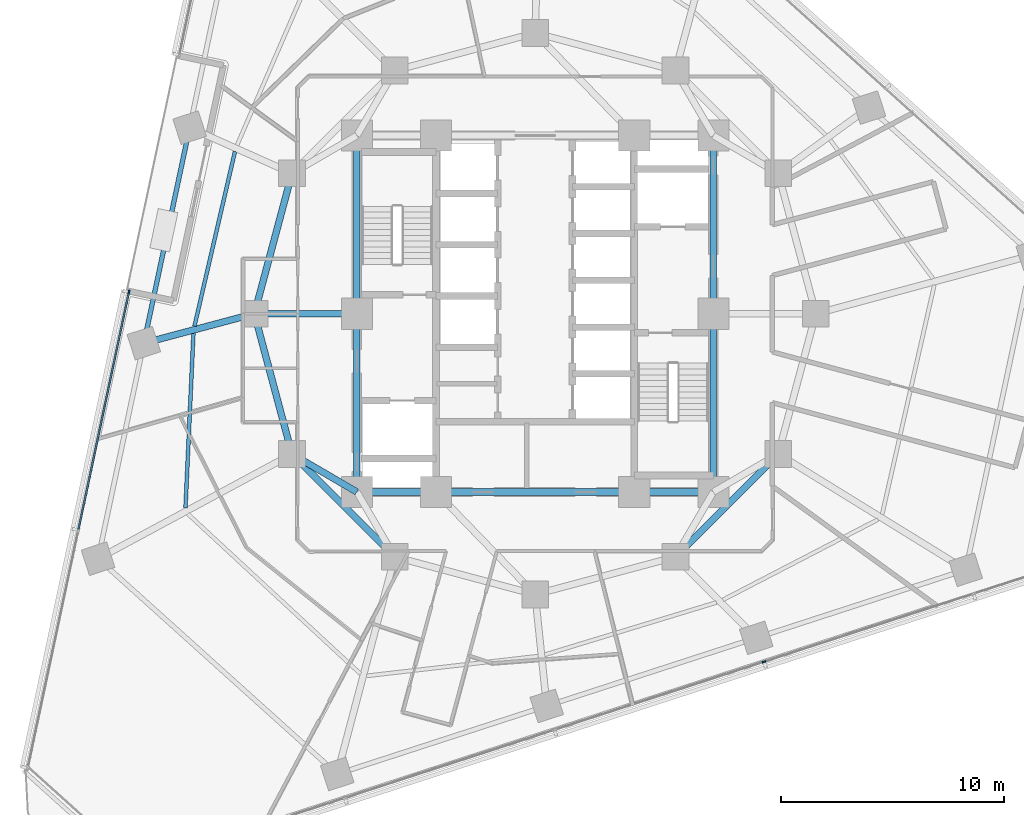
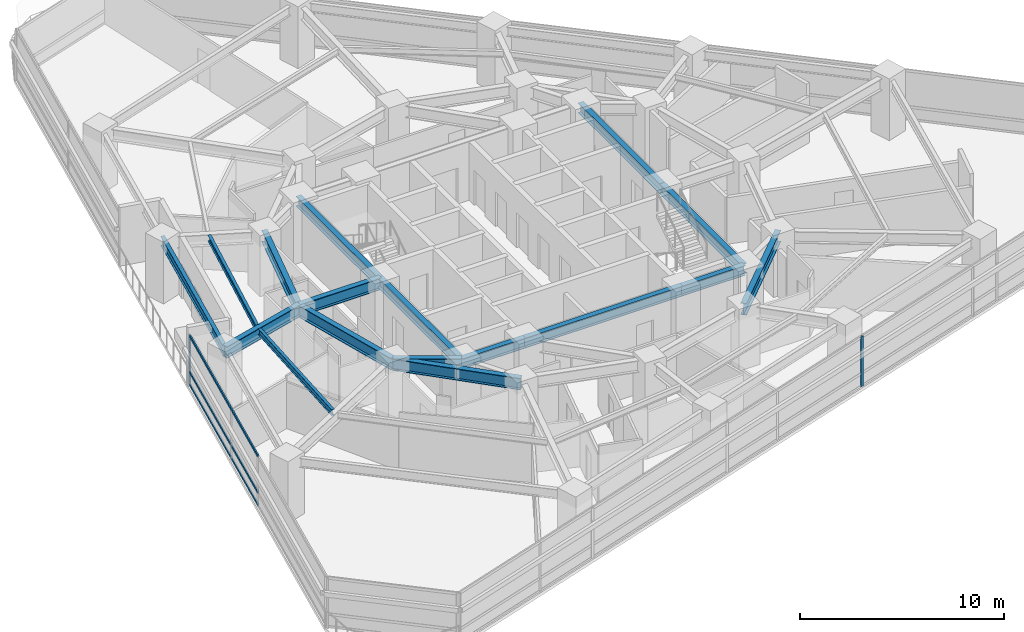
# One storey, part 3 of 14: 17 beams, 5 members, 2 elements without a shape of their own.
"""IFC4 building model written with IfcOpenShell, lengths in metres."""

from ifc_helpers import new_model, si_unit, direction, frame, origin, origin_2d, place, context, subcontext, project, spatial, rectangle, i_section, extrude, material, layer, layer_set, material_profile, profile_set, type_object, element, aggregate, save


model = new_model("IFC4")

# Units and contexts
model_context = context("Model", 3, precision=1e-05, world=origin(), true_north=direction((0.0, 1.0)))
body_context = subcontext(model_context, "Body", "Model", "MODEL_VIEW")
ifc_project = project(units=[si_unit("LENGTHUNIT", "METRE"), si_unit("AREAUNIT", "SQUARE_METRE"), si_unit("VOLUMEUNIT", "CUBIC_METRE"), si_unit("PLANEANGLEUNIT", "RADIAN"), si_unit("MASSUNIT", "GRAM", prefix="KILO")], contexts=[model_context])

# Site, building, storey
site_placement = place(None, origin())
site = spatial("IfcSite", under=ifc_project, at=site_placement, CompositionType="ELEMENT")
building_placement = place(site_placement, origin())
building = spatial("IfcBuilding", under=site, at=building_placement, Name="Terralouvre Media Tower", CompositionType="ELEMENT")
storey_placement = place(building_placement, frame((0.0, 0.0, 97.699951171875)))
storey = spatial("IfcBuildingStorey", under=building, at=storey_placement, Name="L24", CompositionType="ELEMENT", Elevation=97.699951171875)

# Beams
ifc_material_1 = material(Name="Structural steel S355J2", Category="steel")
ifc_material_profile_1 = material_profile(ifc_material_1, i_section(OverallWidth=0.169921875, OverallDepth=0.360107421875, WebThickness=0.008056640625, FlangeThickness=0.0126953125, at=origin_2d()), Name="IPE 360")
ifc_profile_set_1 = profile_set([ifc_material_profile_1], Name="Structural steel S355J2")
beam_type_1 = type_object("IfcBeamType", Name="Composite Floor Joist J-IPE360 (IPE 360)", PredefinedType="JOIST", material=ifc_profile_set_1)
beam_1_placement = place(storey_placement, frame((-15.33544921875, -0.882080078125, 3.320068359375), z_axis=(-0.045464200768, -0.998965968614, 0.0), x_axis=(0.998965968614, -0.045464200768, 0.0)))
element("IfcBeam", 1, at=beam_1_placement, inside=storey, type_object=beam_type_1, Name="L24 Framing Beam JT-L24-01", PredefinedType="JOIST", context=body_context, shape_type="SweptSolid", body=[
    extrude(i_section(OverallWidth=0.169921875, OverallDepth=0.360107421875, WebThickness=0.008056640625, FlangeThickness=0.0126953125, at=origin_2d()), origin(), (0.0, 0.0, 1.0), 7.834716796875),
])
beam_2_placement = place(storey_placement, frame((-13.47216796875, 7.28076171875, 3.320068359375), z_axis=(-0.225820426646, -0.974168945774, 0.0), x_axis=(0.974168945774, -0.225820426646, 0.0)))
element("IfcBeam", 2, at=beam_2_placement, inside=storey, type_object=beam_type_1, Name="L24 Framing Beam JT-L24-12", PredefinedType="JOIST", context=body_context, shape_type="SweptSolid", body=[
    extrude(i_section(OverallWidth=0.169921875, OverallDepth=0.360107421875, WebThickness=0.008056640625, FlangeThickness=0.0126953125, at=origin_2d()), origin(), (0.0, 0.0, 1.0), 8.05224609375),
])

# Curtain wall, members
ifc_material_2 = material(Name="Low-iron laminated double glazing with solar-control coating", Category="glass")
ifc_layer = layer(ifc_material_2, 0.1650390625, Name="Lower Media Tower Unitised Curtain Wall CW-02")
ifc_layer_set = layer_set([ifc_layer], Name="Low-iron laminated double glazing with solar-control coating")
curtain_wall_type = type_object("IfcCurtainWallType", Name="Lower Media Tower Unitised Curtain Wall CW-02", PredefinedType="NOTDEFINED", material=ifc_layer_set)
curtain_wall_1_placement = place(storey_placement, origin())
curtain_wall_1 = element("IfcCurtainWall", 3, at=curtain_wall_1_placement, inside=storey, type_object=curtain_wall_type, Name="L24 Right Flank Curtain Wall F2", PredefinedType="NOTDEFINED")
ifc_material_3 = material(Name="Anodised extruded aluminium 6063-T6", Category="aluminium")
ifc_material_profile_2 = material_profile(ifc_material_3, rectangle(XDim=0.074951171875, YDim=0.14990234375, at=origin_2d()), Name="ALU 75x150")
ifc_profile_set_2 = profile_set([ifc_material_profile_2], Name="Anodised extruded aluminium 6063-T6")
member_type_1 = type_object("IfcMemberType", Name="Curtain-Wall Horizontal Transom TR-150", PredefinedType="USERDEFINED", material=ifc_profile_set_2)
member_1_placement = place(storey_placement, frame((-18.23583984375, 0.93701171875, 0.03759765625), z_axis=(-0.207913397843, -0.978147237893, 0.0), x_axis=(0.978147237893, -0.207913397843, 0.0)))
member_1 = element("IfcMember", 4, at=member_1_placement, type_object=member_type_1, Name="CW-02 transom 1.1", ObjectType="TRANSOM", PredefinedType="USERDEFINED", context=body_context, shape_type="SweptSolid", body=[
    extrude(rectangle(XDim=0.074951171875, YDim=0.14990234375, at=origin_2d()), origin(), (0.0, 0.0, 1.0), 10.84765625),
])
member_2_placement = place(storey_placement, frame((-18.23583984375, 0.93701171875, 0.800048828125), z_axis=(-0.207913397843, -0.978147237893, 0.0), x_axis=(0.978147237893, -0.207913397843, 0.0)))
member_2 = element("IfcMember", 5, at=member_2_placement, type_object=member_type_1, Name="CW-02 transom 1.2", ObjectType="TRANSOM", PredefinedType="USERDEFINED", context=body_context, shape_type="SweptSolid", body=[
    extrude(rectangle(XDim=0.074951171875, YDim=0.14990234375, at=origin_2d()), origin(), (0.0, 0.0, 1.0), 10.84765625),
])
member_3_placement = place(storey_placement, frame((-18.23583984375, 0.93701171875, 2.962646484375), z_axis=(-0.207913397843, -0.978147237893, 0.0), x_axis=(0.978147237893, -0.207913397843, 0.0)))
member_3 = element("IfcMember", 6, at=member_3_placement, type_object=member_type_1, Name="CW-02 transom 1.3", ObjectType="TRANSOM", PredefinedType="USERDEFINED", context=body_context, shape_type="SweptSolid", body=[
    extrude(rectangle(XDim=0.074951171875, YDim=0.14990234375, at=origin_2d()), origin(), (0.0, 0.0, 1.0), 10.84765625),
])

# Curtain wall, member
curtain_wall_2_placement = place(storey_placement, origin())
curtain_wall_2 = element("IfcCurtainWall", 7, at=curtain_wall_2_placement, inside=storey, type_object=curtain_wall_type, Name="L24 Facade Curtain Wall F0", PredefinedType="NOTDEFINED")
ifc_material_4 = material(Name="Anodised extruded aluminium 6063-T6", Category="aluminium")
ifc_material_profile_3 = material_profile(ifc_material_4, rectangle(XDim=0.074951171875, YDim=0.179931640625, at=origin_2d()), Name="ALU 75x180")
ifc_profile_set_3 = profile_set([ifc_material_profile_3], Name="Anodised extruded aluminium 6063-T6")
member_type_2 = type_object("IfcMemberType", Name="Curtain-Wall Vertical Mullion ML-180", PredefinedType="MULLION", material=ifc_profile_set_3)
member_4_placement = place(storey_placement, frame((10.274169921875, -15.621826171875, 0.0), z_axis=(0.0, 0.0, 1.0), x_axis=(-0.309017015439, 0.951056509451, 0.0)))
member_4 = element("IfcMember", 8, at=member_4_placement, type_object=member_type_2, Name="CW-02 mullion 4", PredefinedType="MULLION", context=body_context, shape_type="SweptSolid", body=[
    extrude(rectangle(XDim=0.074951171875, YDim=0.179931640625, at=origin_2d()), origin(), (0.0, 0.0, 1.0), 3.0),
])
aggregate(curtain_wall_2, [member_4])

# Member
member_5_placement = place(storey_placement, frame((-18.22802734375, 0.9736328125, 0.0), z_axis=(0.0, 0.0, 1.0), x_axis=(0.978147702676, -0.207911211217, 0.0)))
member_5 = element("IfcMember", 9, at=member_5_placement, type_object=member_type_2, Name="CW-02 mullion 1", PredefinedType="MULLION", context=body_context, shape_type="SweptSolid", body=[
    extrude(rectangle(XDim=0.074951171875, YDim=0.179931640625, at=origin_2d()), origin(), (0.0, 0.0, 1.0), 3.0),
])

aggregate(curtain_wall_1, [member_5, member_1, member_2, member_3])

# Beams
ifc_material_5 = material(Name="Structural steel S355J2", Category="steel")
ifc_material_profile_4 = material_profile(ifc_material_5, i_section(OverallWidth=0.2099609375, OverallDepth=0.550048828125, WebThickness=0.010986328125, FlangeThickness=0.01708984375, at=origin_2d()), Name="IPE 550")
ifc_profile_set_4 = profile_set([ifc_material_profile_4], Name="Structural steel S355J2")
beam_type_2 = type_object("IfcBeamType", Name="Perimeter Spandrel Beam SPB-550 (IPE 550)", PredefinedType="SPANDREL", material=ifc_profile_set_4)
beam_3_placement = place(storey_placement, frame((-15.5048828125, 8.35009765625, 3.22509765625), z_axis=(-0.207920177572, -0.97814579678, 0.0), x_axis=(0.97814579678, -0.207920177572, 0.0)))
element("IfcBeam", 10, at=beam_3_placement, inside=storey, type_object=beam_type_2, Name="L24 Framing Beam BM-L24-PR12", PredefinedType="SPANDREL", context=body_context, shape_type="SweptSolid", body=[
    extrude(i_section(OverallWidth=0.2099609375, OverallDepth=0.550048828125, WebThickness=0.010986328125, FlangeThickness=0.01708984375, at=origin_2d()), origin(), (0.0, 0.0, 1.0), 9.887939453125),
])
ifc_material_6 = material(Name="Structural steel S460M", Category="steel")
ifc_material_profile_5 = material_profile(ifc_material_6, i_section(OverallWidth=0.300048828125, OverallDepth=0.60009765625, WebThickness=0.015380859375, FlangeThickness=0.030029296875, at=origin_2d()), Name="HEB 600")
ifc_profile_set_5 = profile_set([ifc_material_profile_5], Name="Structural steel S460M")
beam_type_3 = type_object("IfcBeamType", Name="Primary Floor Girder B-HEB600 (HEB 600)", PredefinedType="BEAM", material=ifc_profile_set_5)
beam_4_placement = place(storey_placement, frame((-8.0, -8.0, 3.199951171875), z_axis=(1.0, 0.0, 0.0), x_axis=(0.0, 1.0, 0.0)))
element("IfcBeam", 11, at=beam_4_placement, inside=storey, type_object=beam_type_3, Name="L24 Framing Beam BM-L24-CPR01", PredefinedType="BEAM", context=body_context, shape_type="SweptSolid", body=[
    extrude(i_section(OverallWidth=0.300048828125, OverallDepth=0.60009765625, WebThickness=0.015380859375, FlangeThickness=0.030029296875, at=origin_2d()), origin(), (0.0, 0.0, 1.0), 3.550048828125),
])
beam_5_placement = place(storey_placement, frame((-4.449951171875, -8.0, 3.199951171875), z_axis=(1.0, 0.0, 0.0), x_axis=(0.0, 1.0, 0.0)))
element("IfcBeam", 12, at=beam_5_placement, inside=storey, type_object=beam_type_3, Name="L24 Framing Beam BM-L24-CPR02", PredefinedType="BEAM", context=body_context, shape_type="SweptSolid", body=[
    extrude(i_section(OverallWidth=0.300048828125, OverallDepth=0.60009765625, WebThickness=0.015380859375, FlangeThickness=0.030029296875, at=origin_2d()), origin(), (0.0, 0.0, 1.0), 8.89990234375),
])
beam_6_placement = place(storey_placement, frame((4.449951171875, -8.0, 3.199951171875), z_axis=(1.0, 0.0, 0.0), x_axis=(0.0, 1.0, 0.0)))
element("IfcBeam", 13, at=beam_6_placement, inside=storey, type_object=beam_type_3, Name="L24 Framing Beam BM-L24-CPR03", PredefinedType="BEAM", context=body_context, shape_type="SweptSolid", body=[
    extrude(i_section(OverallWidth=0.300048828125, OverallDepth=0.60009765625, WebThickness=0.015380859375, FlangeThickness=0.030029296875, at=origin_2d()), origin(), (0.0, 0.0, 1.0), 3.550048828125),
])
for number, where, z_axis, x_axis, name in (
    (14, (8.0, -8.0, 3.199951171875), (0.0, 1.0, 0.0), (-1.0, 0.0, 0.0), "L24 Framing Beam BM-L24-CPR04"),
    (15, (8.0, 0.0, 3.199951171875), (0.0, 1.0, 0.0), (-1.0, 0.0, 0.0), "L24 Framing Beam BM-L24-CPR05"),
    (16, (-8.0, 8.0, 3.199951171875), (0.0, -1.0, 0.0), (1.0, 0.0, 0.0), "L24 Framing Beam BM-L24-CPR09"),
    (17, (-8.0, 0.0, 3.199951171875), (0.0, -1.0, 0.0), (1.0, 0.0, 0.0), "L24 Framing Beam BM-L24-CPR10"),
):
    element("IfcBeam", number, at=place(storey_placement, frame(where, z_axis=z_axis, x_axis=x_axis)), inside=storey, type_object=beam_type_3, Name=name, PredefinedType="BEAM", context=body_context, shape_type="SweptSolid", body=[
        extrude(i_section(OverallWidth=0.300048828125, OverallDepth=0.60009765625, WebThickness=0.015380859375, FlangeThickness=0.030029296875, at=origin_2d()), origin(), (0.0, 0.0, 1.0), 8.0),
    ])
ifc_material_7 = material(Name="Structural steel S460M", Category="steel")
ifc_material_profile_6 = material_profile(ifc_material_7, i_section(OverallWidth=0.300048828125, OverallDepth=0.699951171875, WebThickness=0.01708984375, FlangeThickness=0.031982421875, at=origin_2d()), Name="HEB 700")
ifc_profile_set_6 = profile_set([ifc_material_profile_6], Name="Structural steel S460M")
beam_type_4 = type_object("IfcBeamType", Name="Primary Floor Girder B-HEB700 (HEB 700)", PredefinedType="BEAM", material=ifc_profile_set_6)
for number, where, z_axis, x_axis, name in (
    (18, (-10.911865234375, -6.300048828125, 3.150146484375), (0.707106781187, -0.707106781187, 0.0), (0.707106781187, 0.707106781187, 0.0), "L24 Framing Beam BM-L24-MR01"),
    (19, (6.300048828125, -10.911865234375, 3.150146484375), (0.707106781187, 0.707106781187, 0.0), (-0.707106781187, 0.707106781187, 0.0), "L24 Framing Beam BM-L24-MR04"),
):
    element("IfcBeam", number, at=place(storey_placement, frame(where, z_axis=z_axis, x_axis=x_axis)), inside=storey, type_object=beam_type_4, Name=name, PredefinedType="BEAM", context=body_context, shape_type="SweptSolid", body=[
        extrude(i_section(OverallWidth=0.300048828125, OverallDepth=0.699951171875, WebThickness=0.01708984375, FlangeThickness=0.031982421875, at=origin_2d()), origin(), (0.0, 0.0, 1.0), 6.52197265625),
    ])
for number, where, z_axis, x_axis, name in (
    (20, (-10.911865234375, 6.300048828125, 3.150146484375), (-0.258838989821, -0.965920481897, 0.0), (0.965920481897, -0.258838989821, 0.0), "L24 Framing Beam BM-L24-MR11"),
    (21, (-12.60009765625, 0.0, 3.150146484375), (0.258838989821, -0.965920481897, 0.0), (0.965920481897, 0.258838989821, 0.0), "L24 Framing Beam BM-L24-MR12"),
):
    element("IfcBeam", number, at=place(storey_placement, frame(where, z_axis=z_axis, x_axis=x_axis)), inside=storey, type_object=beam_type_4, Name=name, PredefinedType="BEAM", context=body_context, shape_type="SweptSolid", body=[
        extrude(i_section(OverallWidth=0.300048828125, OverallDepth=0.699951171875, WebThickness=0.01708984375, FlangeThickness=0.031982421875, at=origin_2d()), origin(), (0.0, 0.0, 1.0), 6.522216796875),
    ])
beam_7_placement = place(storey_placement, frame((-8.0, -8.0, 3.150146484375), z_axis=(-0.863602894532, 0.504172629717, 0.0), x_axis=(-0.504172629717, -0.863602894532, 0.0)))
element("IfcBeam", 22, at=beam_7_placement, inside=storey, type_object=beam_type_4, Name="L24 Framing Beam BM-L24-CM01", PredefinedType="BEAM", context=body_context, shape_type="SweptSolid", body=[
    extrude(i_section(OverallWidth=0.300048828125, OverallDepth=0.699951171875, WebThickness=0.01708984375, FlangeThickness=0.031982421875, at=origin_2d()), origin(), (0.0, 0.0, 1.0), 3.371826171875),
])
beam_8_placement = place(storey_placement, frame((-8.0, 0.0, 3.150146484375), z_axis=(-1.0, 0.0, 0.0), x_axis=(0.0, -1.0, 0.0)))
element("IfcBeam", 23, at=beam_8_placement, inside=storey, type_object=beam_type_4, Name="L24 Framing Beam BM-L24-CM12", PredefinedType="BEAM", context=body_context, shape_type="SweptSolid", body=[
    extrude(i_section(OverallWidth=0.300048828125, OverallDepth=0.699951171875, WebThickness=0.01708984375, FlangeThickness=0.031982421875, at=origin_2d()), origin(), (0.0, 0.0, 1.0), 4.60009765625),
])
beam_9_placement = place(storey_placement, frame((-12.60009765625, 0.0, 3.150146484375), z_axis=(-0.966287014212, -0.257467291449, 0.0), x_axis=(0.257467291449, -0.966287014212, 0.0)))
element("IfcBeam", 24, at=beam_9_placement, inside=storey, type_object=beam_type_4, Name="L24 Framing Beam BM-L24-RD01", PredefinedType="BEAM", context=body_context, shape_type="SweptSolid", body=[
    extrude(i_section(OverallWidth=0.300048828125, OverallDepth=0.699951171875, WebThickness=0.01708984375, FlangeThickness=0.031982421875, at=origin_2d()), origin(), (0.0, 0.0, 1.0), 5.1337890625),
])

save(model, "model.ifc")
